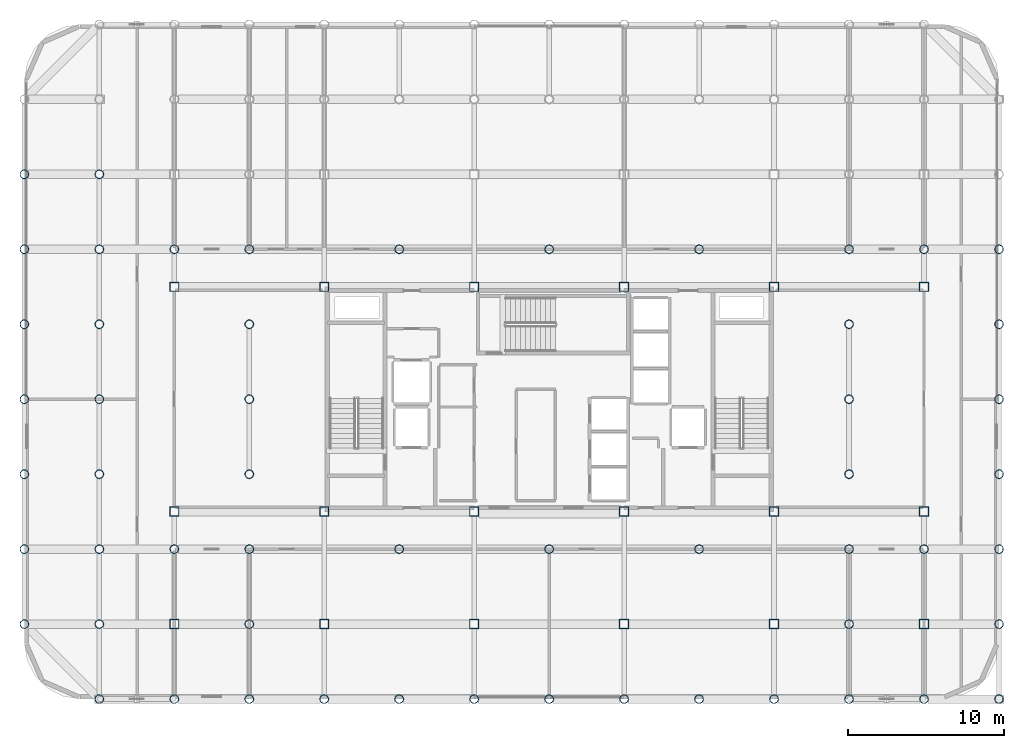
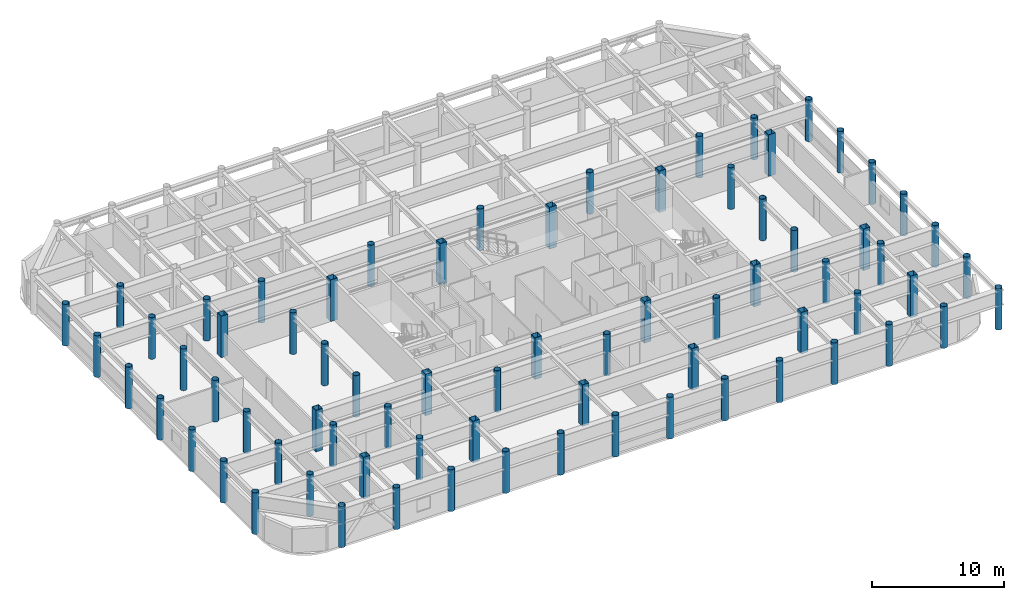
# One storey, part 1 of 21: 73 columns.
"""IFC4 building model written with IfcOpenShell, lengths in metres."""

from ifc_helpers import new_model, si_unit, direction, frame, origin, origin_2d, place, context, subcontext, project, spatial, hollow_rectangle, hollow_circle, extrude, material, material_profile, profile_set, type_object, element, save


model = new_model("IFC4")

# Units and contexts
model_context = context("Model", 3, precision=1e-05, world=origin(), true_north=direction((0.0, 1.0)))
body_context = subcontext(model_context, "Body", "Model", "MODEL_VIEW")
ifc_project = project(units=[si_unit("LENGTHUNIT", "METRE"), si_unit("AREAUNIT", "SQUARE_METRE"), si_unit("VOLUMEUNIT", "CUBIC_METRE"), si_unit("PLANEANGLEUNIT", "RADIAN"), si_unit("MASSUNIT", "GRAM", prefix="KILO")], contexts=[model_context])

# Site, building, storey
site_placement = place(None, origin())
site = spatial("IfcSite", under=ifc_project, at=site_placement, CompositionType="ELEMENT")
building_placement = place(site_placement, origin())
building = spatial("IfcBuilding", under=site, at=building_placement, Name="Kallvorn Hotel Tower", CompositionType="ELEMENT")
storey_placement = place(building_placement, frame((0.0, 0.0, 272.35009765625)))
storey = spatial("IfcBuildingStorey", under=building, at=storey_placement, Name="L68", CompositionType="ELEMENT", Elevation=272.35009765625)

# Columns
ifc_material_1 = material(Name="Structural steel S355J2H", Category="steel")
ifc_material_profile_1 = material_profile(ifc_material_1, hollow_circle(Radius=0.279541015625, WallThickness=0.02490234375, at=origin_2d()), Name="CHS 559x25")
ifc_profile_set_1 = profile_set([ifc_material_profile_1], Name="Structural steel S355J2H")
column_type_1 = type_object("IfcColumnType", Name="COL_CHS_559", PredefinedType="COLUMN", material=ifc_profile_set_1)
for number, where, z_axis, x_axis, name in (
    (1, (-33.60009765625, -14.39990234375, 0.0), (0.0, 0.0, 1.0), (1.0, 0.0, 0.0), "L68 Exoskeleton Column EC01"),
    (2, (-33.60009765625, -9.60009765625, 0.0), (0.0, 0.0, 1.0), (1.0, 0.0, 0.0), "L68 Exoskeleton Column EC02"),
    (3, (-33.60009765625, -4.800048828125, 0.0), (0.0, 0.0, 1.0), (1.0, 0.0, 0.0), "L68 Exoskeleton Column EC03"),
    (4, (-33.60009765625, 0.0, 0.0), (0.0, 0.0, 1.0), (1.0, 0.0, 0.0), "L68 Exoskeleton Column EC04"),
    (5, (-33.60009765625, 4.800048828125, 0.0), (0.0, 0.0, 1.0), (1.0, 0.0, 0.0), "L68 Exoskeleton Column EC05"),
    (6, (-33.60009765625, 9.60009765625, 0.0), (0.0, 0.0, 1.0), (1.0, 0.0, 0.0), "L68 Exoskeleton Column EC06"),
    (7, (-33.60009765625, 14.39990234375, 0.0), (0.0, 0.0, 1.0), (1.0, 0.0, 0.0), "L68 Exoskeleton Column EC07"),
    (8, (-28.800048828125, -19.199951171875, 0.0), (0.0, 0.0, 1.0), (1.0, 0.0, 0.0), "L68 Exoskeleton Column EC09"),
    (9, (-28.800048828125, -14.39990234375, 0.0), (0.0, 0.0, 1.0), (1.0, 0.0, 0.0), "L68 Exoskeleton Column EC10"),
    (10, (-28.800048828125, -9.60009765625, 0.0), (0.0, 0.0, 1.0), (1.0, 0.0, 0.0), "L68 Exoskeleton Column EC11"),
    (11, (-28.800048828125, -4.800048828125, 0.0), (0.0, 0.0, 1.0), (1.0, 0.0, 0.0), "L68 Exoskeleton Column EC12"),
    (12, (-28.800048828125, 0.0, 0.0), (0.0, 0.0, 1.0), (1.0, 0.0, 0.0), "L68 Exoskeleton Column EC13"),
    (13, (-28.800048828125, 4.800048828125, 0.0), (0.0, 0.0, 1.0), (1.0, 0.0, 0.0), "L68 Exoskeleton Column EC14"),
    (14, (-28.800048828125, 9.60009765625, 0.0), (0.0, 0.0, 1.0), (1.0, 0.0, 0.0), "L68 Exoskeleton Column EC15"),
    (15, (-28.800048828125, 14.39990234375, 0.0), (0.0, 0.0, 1.0), (1.0, 0.0, 0.0), "L68 Exoskeleton Column EC16"),
    (16, (-24.0, -19.199951171875, 0.0), (0.0, 0.0, 1.0), (1.0, 0.0, 0.0), "L68 Exoskeleton Column EC19"),
    (17, (-24.0, -9.60009765625, 0.0), (0.0, 0.0, 1.0), (1.0, 0.0, 0.0), "L68 Exoskeleton Column EC20"),
    (18, (-24.0, 9.60009765625, 0.0), (0.0, 0.0, 1.0), (1.0, 0.0, 0.0), "L68 Exoskeleton Column EC21"),
    (19, (-19.199951171875, -19.199951171875, 0.0), (0.0, 0.0, 1.0), (1.0, 0.0, 0.0), "L68 Exoskeleton Column EC24"),
    (20, (-19.199951171875, -14.39990234375, 0.0), (0.0, 0.0, 1.0), (1.0, 0.0, 0.0), "L68 Exoskeleton Column EC25"),
    (21, (-19.199951171875, -9.60009765625, 0.0), (0.0, 0.0, 1.0), (1.0, 0.0, 0.0), "L68 Exoskeleton Column EC26"),
    (22, (-19.199951171875, -4.800048828125, 0.0), (0.0, 0.0, 1.0), (1.0, 0.0, 0.0), "L68 Exoskeleton Column EC27"),
    (23, (-19.199951171875, 0.0, 0.0), (0.0, 0.0, 1.0), (1.0, 0.0, 0.0), "L68 Exoskeleton Column EC28"),
    (24, (-19.199951171875, 4.800048828125, 0.0), (0.0, 0.0, 1.0), (1.0, 0.0, 0.0), "L68 Exoskeleton Column EC29"),
    (25, (-19.199951171875, 9.60009765625, 0.0), (0.0, 0.0, 1.0), (1.0, 0.0, 0.0), "L68 Exoskeleton Column EC30"),
    (26, (-14.39990234375, -19.199951171875, 0.0), (0.0, 0.0, 1.0), (1.0, 0.0, 0.0), "L68 Exoskeleton Column EC34"),
    (27, (-9.60009765625, -19.199951171875, 0.0), (0.0, 0.0, 1.0), (1.0, 0.0, 0.0), "L68 Exoskeleton Column EC37"),
    (28, (-9.60009765625, -9.60009765625, 0.0), (0.0, 0.0, 1.0), (1.0, 0.0, 0.0), "L68 Exoskeleton Column EC38"),
    (29, (-9.60009765625, 9.60009765625, 0.0), (0.0, 0.0, 1.0), (1.0, 0.0, 0.0), "L68 Exoskeleton Column EC39"),
    (30, (-4.800048828125, -19.199951171875, 0.0), (0.0, 0.0, 1.0), (1.0, 0.0, 0.0), "L68 Exoskeleton Column EC42"),
    (31, (0.0, -19.199951171875, 0.0), (0.0, 0.0, 1.0), (1.0, 0.0, 0.0), "L68 Exoskeleton Column EC45"),
    (32, (0.0, -9.60009765625, 0.0), (0.0, 0.0, 1.0), (1.0, 0.0, 0.0), "L68 Exoskeleton Column EC46"),
    (33, (0.0, 9.60009765625, 0.0), (0.0, 0.0, 1.0), (1.0, 0.0, 0.0), "L68 Exoskeleton Column EC47"),
    (34, (4.800048828125, -19.199951171875, 0.0), (0.0, 0.0, 1.0), (1.0, 0.0, 0.0), "L68 Exoskeleton Column EC50"),
    (35, (9.60009765625, -19.199951171875, 0.0), (0.0, 0.0, 1.0), (1.0, 0.0, 0.0), "L68 Exoskeleton Column EC53"),
    (36, (9.60009765625, -9.60009765625, 0.0), (0.0, 0.0, 1.0), (1.0, 0.0, 0.0), "L68 Exoskeleton Column EC54"),
    (37, (9.60009765625, 9.60009765625, 0.0), (0.0, 0.0, 1.0), (1.0, 0.0, 0.0), "L68 Exoskeleton Column EC55"),
    (38, (14.39990234375, -19.199951171875, 0.0), (0.0, 0.0, 1.0), (1.0, 0.0, 0.0), "L68 Exoskeleton Column EC58"),
    (39, (19.199951171875, -19.199951171875, 0.0), (0.0, 0.0, 1.0), (1.0, 0.0, 0.0), "L68 Exoskeleton Column EC61"),
    (40, (19.199951171875, -14.39990234375, 0.0), (0.0, 0.0, 1.0), (1.0, 0.0, 0.0), "L68 Exoskeleton Column EC62"),
    (41, (19.199951171875, -9.60009765625, 0.0), (0.0, 0.0, 1.0), (1.0, 0.0, 0.0), "L68 Exoskeleton Column EC63"),
    (42, (19.199951171875, -4.800048828125, 0.0), (0.0, 0.0, 1.0), (1.0, 0.0, 0.0), "L68 Exoskeleton Column EC64"),
    (43, (19.199951171875, 0.0, 0.0), (0.0, 0.0, 1.0), (1.0, 0.0, 0.0), "L68 Exoskeleton Column EC65"),
    (44, (19.199951171875, 4.800048828125, 0.0), (0.0, 0.0, 1.0), (1.0, 0.0, 0.0), "L68 Exoskeleton Column EC66"),
    (45, (19.199951171875, 9.60009765625, 0.0), (0.0, 0.0, 1.0), (1.0, 0.0, 0.0), "L68 Exoskeleton Column EC67"),
    (46, (24.0, -19.199951171875, 0.0), (0.0, 0.0, 1.0), (1.0, 0.0, 0.0), "L68 Exoskeleton Column EC71"),
    (47, (24.0, -9.60009765625, 0.0), (0.0, 0.0, 1.0), (1.0, 0.0, 0.0), "L68 Exoskeleton Column EC72"),
    (48, (24.0, 9.60009765625, 0.0), (0.0, 0.0, 1.0), (1.0, 0.0, 0.0), "L68 Exoskeleton Column EC73"),
    (49, (28.800048828125, -19.199951171875, 0.0), (0.0, 0.0, 1.0), (1.0, 0.0, 0.0), "L68 Exoskeleton Column EC76"),
    (50, (28.800048828125, -14.39990234375, 0.0), (0.0, 0.0, 1.0), (1.0, 0.0, 0.0), "L68 Exoskeleton Column EC77"),
    (51, (28.800048828125, -9.60009765625, 0.0), (0.0, 0.0, 1.0), (1.0, 0.0, 0.0), "L68 Exoskeleton Column EC78"),
    (52, (28.800048828125, -4.800048828125, 0.0), (0.0, 0.0, 1.0), (1.0, 0.0, 0.0), "L68 Exoskeleton Column EC79"),
    (53, (28.800048828125, 0.0, 0.0), (0.0, 0.0, 1.0), (1.0, 0.0, 0.0), "L68 Exoskeleton Column EC80"),
    (54, (28.800048828125, 4.800048828125, 0.0), (0.0, 0.0, 1.0), (1.0, 0.0, 0.0), "L68 Exoskeleton Column EC81"),
    (55, (28.800048828125, 9.60009765625, 0.0), (0.0, 0.0, 1.0), (1.0, 0.0, 0.0), "L68 Exoskeleton Column EC82"),
):
    element("IfcColumn", number, at=place(storey_placement, frame(where, z_axis=z_axis, x_axis=x_axis)), inside=storey, type_object=column_type_1, Name=name, PredefinedType="COLUMN", context=body_context, shape_type="SweptSolid", body=[
        extrude(hollow_circle(Radius=0.279541015625, WallThickness=0.02490234375, at=origin_2d()), origin(), (0.0, 0.0, 1.0), 3.849853515625),
    ])
ifc_material_2 = material(Name="Structural steel S355J2H", Category="steel")
ifc_material_profile_2 = material_profile(ifc_material_2, hollow_rectangle(XDim=0.60009765625, YDim=0.60009765625, WallThickness=0.028076171875, at=origin_2d()), Name="RHS 600x600x28")
ifc_profile_set_2 = profile_set([ifc_material_profile_2], Name="Structural steel S355J2H")
column_type_2 = type_object("IfcColumnType", Name="COL_RHS_600", PredefinedType="COLUMN", material=ifc_profile_set_2)
for number, where, z_axis, x_axis, name in (
    (56, (-24.0, -14.39990234375, 0.0), (0.0, 0.0, 1.0), (1.0, 0.0, 0.0), "L68 Inner Column IC01"),
    (57, (-24.0, -7.199951171875, 0.0), (0.0, 0.0, 1.0), (1.0, 0.0, 0.0), "L68 Inner Column IC02"),
    (58, (-24.0, 7.199951171875, 0.0), (0.0, 0.0, 1.0), (1.0, 0.0, 0.0), "L68 Inner Column IC03"),
    (59, (-14.39990234375, -14.39990234375, 0.0), (0.0, 0.0, 1.0), (1.0, 0.0, 0.0), "L68 Inner Column IC05"),
    (60, (-14.39990234375, -7.199951171875, 0.0), (0.0, 0.0, 1.0), (1.0, 0.0, 0.0), "L68 Inner Column IC06"),
    (61, (-14.39990234375, 7.199951171875, 0.0), (0.0, 0.0, 1.0), (1.0, 0.0, 0.0), "L68 Inner Column IC07"),
    (62, (-4.800048828125, -14.39990234375, 0.0), (0.0, 0.0, 1.0), (1.0, 0.0, 0.0), "L68 Inner Column IC09"),
    (63, (-4.800048828125, -7.199951171875, 0.0), (0.0, 0.0, 1.0), (1.0, 0.0, 0.0), "L68 Inner Column IC10"),
    (64, (-4.800048828125, 7.199951171875, 0.0), (0.0, 0.0, 1.0), (1.0, 0.0, 0.0), "L68 Inner Column IC11"),
    (65, (4.800048828125, -14.39990234375, 0.0), (0.0, 0.0, 1.0), (1.0, 0.0, 0.0), "L68 Inner Column IC13"),
    (66, (4.800048828125, -7.199951171875, 0.0), (0.0, 0.0, 1.0), (1.0, 0.0, 0.0), "L68 Inner Column IC14"),
    (67, (4.800048828125, 7.199951171875, 0.0), (0.0, 0.0, 1.0), (1.0, 0.0, 0.0), "L68 Inner Column IC15"),
    (68, (14.39990234375, -14.39990234375, 0.0), (0.0, 0.0, 1.0), (1.0, 0.0, 0.0), "L68 Inner Column IC17"),
    (69, (14.39990234375, -7.199951171875, 0.0), (0.0, 0.0, 1.0), (1.0, 0.0, 0.0), "L68 Inner Column IC18"),
    (70, (14.39990234375, 7.199951171875, 0.0), (0.0, 0.0, 1.0), (1.0, 0.0, 0.0), "L68 Inner Column IC19"),
    (71, (24.0, -14.39990234375, 0.0), (0.0, 0.0, 1.0), (1.0, 0.0, 0.0), "L68 Inner Column IC21"),
    (72, (24.0, -7.199951171875, 0.0), (0.0, 0.0, 1.0), (1.0, 0.0, 0.0), "L68 Inner Column IC22"),
    (73, (24.0, 7.199951171875, 0.0), (0.0, 0.0, 1.0), (1.0, 0.0, 0.0), "L68 Inner Column IC23"),
):
    element("IfcColumn", number, at=place(storey_placement, frame(where, z_axis=z_axis, x_axis=x_axis)), inside=storey, type_object=column_type_2, Name=name, PredefinedType="COLUMN", context=body_context, shape_type="SweptSolid", body=[
        extrude(hollow_rectangle(XDim=0.60009765625, YDim=0.60009765625, WallThickness=0.028076171875, at=origin_2d()), origin(), (0.0, 0.0, 1.0), 3.849853515625),
    ])

save(model, "model.ifc")
